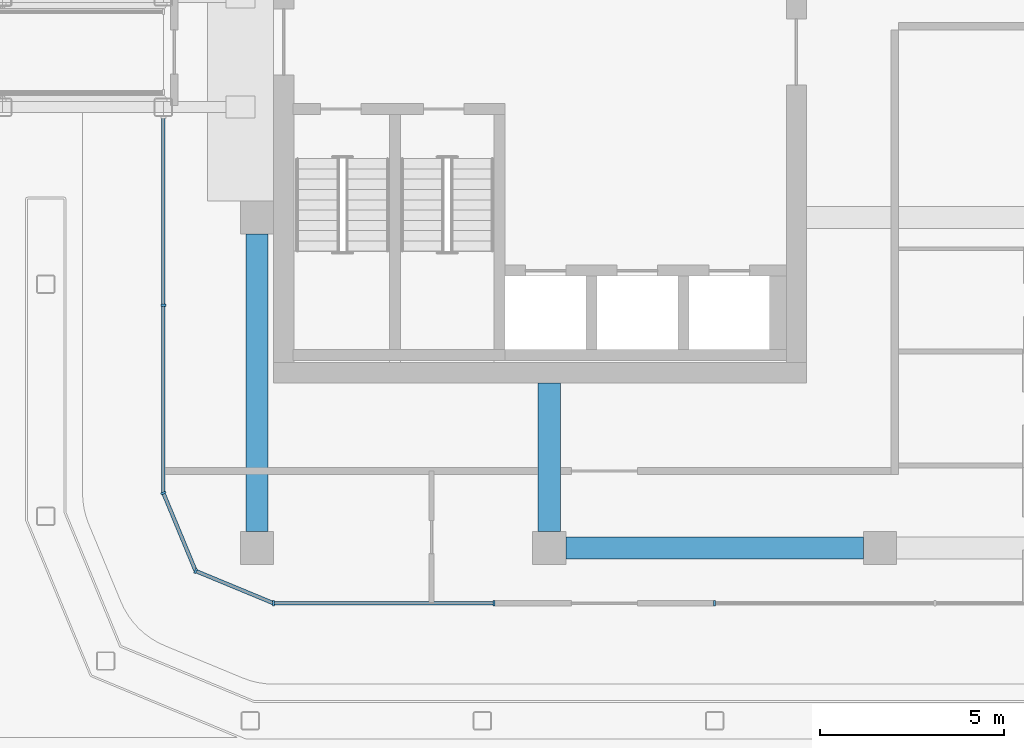
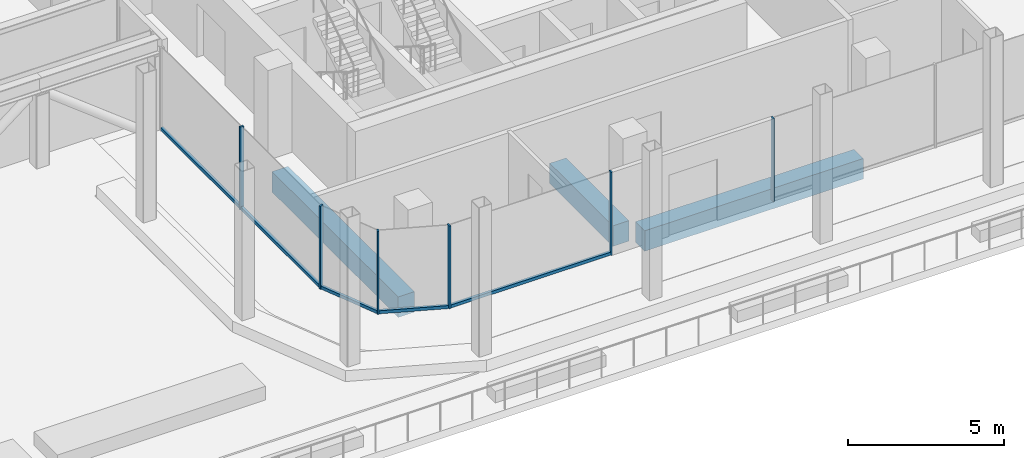
# One storey, part 13 of 33: 10 members, 3 beams, 5 elements without a shape of their own.
"""IFC4 building model written with IfcOpenShell, lengths in metres."""

from ifc_helpers import new_model, si_unit, direction, frame, origin, origin_2d, place, context, subcontext, project, spatial, rectangle, extrude, material, layer, layer_set, material_profile, profile_set, type_object, element, aggregate, save


model = new_model("IFC4")

# Units and contexts
model_context = context("Model", 3, precision=1e-05, world=origin(), true_north=direction((0.0, 1.0)))
body_context = subcontext(model_context, "Body", "Model", "MODEL_VIEW")
ifc_project = project(units=[si_unit("LENGTHUNIT", "METRE"), si_unit("AREAUNIT", "SQUARE_METRE"), si_unit("VOLUMEUNIT", "CUBIC_METRE"), si_unit("PLANEANGLEUNIT", "RADIAN"), si_unit("MASSUNIT", "GRAM", prefix="KILO")], contexts=[model_context])

# Site, building, storey
site_placement = place(None, origin())
site = spatial("IfcSite", under=ifc_project, at=site_placement, CompositionType="ELEMENT")
building_placement = place(site_placement, origin())
building = spatial("IfcBuilding", under=site, at=building_placement, Name="Plateau Cross Towers", CompositionType="ELEMENT")
storey_placement = place(building_placement, frame((0.0, 0.0, 26.800048828125)))
storey = spatial("IfcBuildingStorey", under=building, at=storey_placement, Name="L05", CompositionType="ELEMENT", Elevation=26.800048828125)

# Beam
ifc_material_1 = material(Name="Concrete C60/75", Category="concrete")
ifc_material_profile_1 = material_profile(ifc_material_1, rectangle(XDim=0.60009765625, YDim=0.800048828125, at=origin_2d()), Name="RC 600x800")
ifc_profile_set_1 = profile_set([ifc_material_profile_1], Name="Concrete C60/75")
beam_type_1 = type_object("IfcBeamType", Name="Core beam RC 600x800", PredefinedType="BEAM", material=ifc_profile_set_1)
beam_placement = place(storey_placement, frame((82.5, 0.0, -0.900146484375), z_axis=(0.0, -1.0, 0.0), x_axis=(1.0, 0.0, 0.0)))
element("IfcBeam", 1, at=beam_placement, inside=storey, type_object=beam_type_1, Name="B-CB01@L05", PredefinedType="BEAM", context=body_context, shape_type="SweptSolid", body=[
    extrude(rectangle(XDim=0.60009765625, YDim=0.800048828125, at=origin_2d()), origin(), (0.0, 0.0, 1.0), 4.050048828125),
])

# Curtain wall, members
ifc_material_2 = material(Name="Dark low-iron glass", Category="glass")
ifc_layer = layer(ifc_material_2, 0.239990234375)
ifc_layer_set = layer_set([ifc_layer], Name="Dark low-iron glass")
curtain_wall_type = type_object("IfcCurtainWallType", Name="Curtain wall office unitised CW-F", PredefinedType="NOTDEFINED", material=ifc_layer_set)
curtain_wall_1_placement = place(storey_placement, origin())
curtain_wall_1 = element("IfcCurtainWall", 2, at=curtain_wall_1_placement, inside=storey, type_object=curtain_wall_type, Name="ENV/B/L05/B750_-60", PredefinedType="NOTDEFINED")
ifc_material_3 = material(Name="Black anodised aluminium", Category="aluminium")
ifc_material_profile_2 = material_profile(ifc_material_3, rectangle(XDim=0.06005859375, YDim=0.139892578125, at=origin_2d()), Name="MULLION 60x140")
ifc_profile_set_2 = profile_set([ifc_material_profile_2], Name="Black anodised aluminium")
member_type_1 = type_object("IfcMemberType", Name="Mullion 60x140 office unitised", PredefinedType="MULLION", material=ifc_profile_set_2)
member_1_placement = place(storey_placement, frame((75.0, -6.0, 0.0), z_axis=(0.0, 0.0, 1.0), x_axis=(1.0, 0.0, 0.0)))
member_1 = element("IfcMember", 3, at=member_1_placement, type_object=member_type_1, Name="CW-F mullion 1", PredefinedType="MULLION", context=body_context, shape_type="SweptSolid", body=[
    extrude(rectangle(XDim=0.06005859375, YDim=0.139892578125, at=origin_2d()), origin(), (0.0, 0.0, 1.0), 3.25),
])
member_2_placement = place(storey_placement, frame((81.0, -6.0, 0.0), z_axis=(0.0, 0.0, 1.0), x_axis=(1.0, 0.0, 0.0)))
member_2 = element("IfcMember", 4, at=member_2_placement, type_object=member_type_1, Name="CW-F mullion 2", PredefinedType="MULLION", context=body_context, shape_type="SweptSolid", body=[
    extrude(rectangle(XDim=0.06005859375, YDim=0.139892578125, at=origin_2d()), origin(), (0.0, 0.0, 1.0), 3.25),
])

# Curtain wall, member
curtain_wall_2_placement = place(storey_placement, origin())
curtain_wall_2 = element("IfcCurtainWall", 5, at=curtain_wall_2_placement, inside=storey, type_object=curtain_wall_type, Name="ENV/B/L05/B870_-60", PredefinedType="NOTDEFINED")
member_3_placement = place(storey_placement, frame((87.0, -6.0, 0.0), z_axis=(0.0, 0.0, 1.0), x_axis=(1.0, 0.0, 0.0)))
member_3 = element("IfcMember", 6, at=member_3_placement, type_object=member_type_1, Name="CW-F mullion 1", PredefinedType="MULLION", context=body_context, shape_type="SweptSolid", body=[
    extrude(rectangle(XDim=0.06005859375, YDim=0.139892578125, at=origin_2d()), origin(), (0.0, 0.0, 1.0), 3.25),
])
aggregate(curtain_wall_2, [member_3])

curtain_wall_3_placement = place(storey_placement, origin())
curtain_wall_3 = element("IfcCurtainWall", 7, at=curtain_wall_3_placement, inside=storey, type_object=curtain_wall_type, Name="ENV/B/L05/B720_72", PredefinedType="NOTDEFINED")
member_4_placement = place(storey_placement, frame((72.0, 2.107421875, 0.0), z_axis=(0.0, 0.0, 1.0), x_axis=(0.0, -1.0, 0.0)))
member_4 = element("IfcMember", 8, at=member_4_placement, type_object=member_type_1, Name="CW-F mullion 2", PredefinedType="MULLION", context=body_context, shape_type="SweptSolid", body=[
    extrude(rectangle(XDim=0.06005859375, YDim=0.139892578125, at=origin_2d()), origin(), (0.0, 0.0, 1.0), 3.25),
])

curtain_wall_4_placement = place(storey_placement, origin())
curtain_wall_4 = element("IfcCurtainWall", 9, at=curtain_wall_4_placement, inside=storey, type_object=curtain_wall_type, Name="ENV/B/L05/B720_-30", PredefinedType="NOTDEFINED")
member_5_placement = place(storey_placement, frame((72.0, -3.0, 0.0), z_axis=(0.0, 0.0, 1.0), x_axis=(0.382683612978, -0.923879457699, 0.0)))
member_5 = element("IfcMember", 10, at=member_5_placement, type_object=member_type_1, Name="CW-F mullion 1", PredefinedType="MULLION", context=body_context, shape_type="SweptSolid", body=[
    extrude(rectangle(XDim=0.06005859375, YDim=0.139892578125, at=origin_2d()), origin(), (0.0, 0.0, 1.0), 3.25),
])

curtain_wall_5_placement = place(storey_placement, origin())
curtain_wall_5 = element("IfcCurtainWall", 11, at=curtain_wall_5_placement, inside=storey, type_object=curtain_wall_type, Name="ENV/B/L05/B729_-51", PredefinedType="NOTDEFINED")
member_6_placement = place(storey_placement, frame((72.878662109375, -5.121337890625, 0.0), z_axis=(0.0, 0.0, 1.0), x_axis=(0.923879457699, -0.382683612978, 0.0)))
member_6 = element("IfcMember", 12, at=member_6_placement, type_object=member_type_1, Name="CW-F mullion 1", PredefinedType="MULLION", context=body_context, shape_type="SweptSolid", body=[
    extrude(rectangle(XDim=0.06005859375, YDim=0.139892578125, at=origin_2d()), origin(), (0.0, 0.0, 1.0), 3.25),
])

# Beams
ifc_material_profile_3 = material_profile(ifc_material_1, rectangle(XDim=0.60009765625, YDim=0.800048828125, at=origin_2d()), Name="RC 600x800")
ifc_profile_set_3 = profile_set([ifc_material_profile_3], Name="Concrete C60/75")
beam_type_2 = type_object("IfcBeamType", Name="Ring beam RC 600x800", PredefinedType="BEAM", material=ifc_profile_set_3)
for number, where, z_axis, x_axis, name in (
    (13, (82.949951171875, -4.5, -0.900146484375), (1.0, 0.0, 0.0), (0.0, 1.0, 0.0), "B-RB01@L05"),
    (14, (74.550048828125, 4.050048828125, -0.900146484375), (0.0, -1.0, 0.0), (1.0, 0.0, 0.0), "B-RB09@L05"),
):
    element("IfcBeam", number, at=place(storey_placement, frame(where, z_axis=z_axis, x_axis=x_axis)), inside=storey, type_object=beam_type_2, Name=name, PredefinedType="BEAM", context=body_context, shape_type="SweptSolid", body=[
        extrude(rectangle(XDim=0.60009765625, YDim=0.800048828125, at=origin_2d()), origin(), (0.0, 0.0, 1.0), 8.10009765625),
    ])

# Member
ifc_material_profile_4 = material_profile(ifc_material_3, rectangle(XDim=0.10009765625, YDim=0.1201171875, at=origin_2d()), Name="TRANSOM 100x120")
ifc_profile_set_4 = profile_set([ifc_material_profile_4], Name="Black anodised aluminium")
member_type_2 = type_object("IfcMemberType", Name="Transom 100x120 office unitised", PredefinedType="USERDEFINED", material=ifc_profile_set_4)
member_7_placement = place(storey_placement, frame((75.0, -6.0, 0.06005859375), z_axis=(1.0, 0.0, 0.0), x_axis=(0.0, 1.0, 0.0)))
member_7 = element("IfcMember", 15, at=member_7_placement, type_object=member_type_2, Name="CW-F transom", ObjectType="TRANSOM", PredefinedType="USERDEFINED", context=body_context, shape_type="SweptSolid", body=[
    extrude(rectangle(XDim=0.10009765625, YDim=0.1201171875, at=origin_2d()), origin(), (0.0, 0.0, 1.0), 6.0),
])

aggregate(curtain_wall_1, [member_1, member_2, member_7])

member_8_placement = place(storey_placement, frame((72.0, 7.215087890625, 0.06005859375), z_axis=(0.0, -1.0, 0.0), x_axis=(1.0, 0.0, 0.0)))
member_8 = element("IfcMember", 16, at=member_8_placement, type_object=member_type_2, Name="CW-F transom", ObjectType="TRANSOM", PredefinedType="USERDEFINED", context=body_context, shape_type="SweptSolid", body=[
    extrude(rectangle(XDim=0.10009765625, YDim=0.1201171875, at=origin_2d()), origin(), (0.0, 0.0, 1.0), 10.215087890625),
])

aggregate(curtain_wall_3, [member_4, member_8])

member_9_placement = place(storey_placement, frame((72.0, -3.0, 0.06005859375), z_axis=(0.382674207535, -0.923883353507, 0.0), x_axis=(0.923883353507, 0.382674207535, 0.0)))
member_9 = element("IfcMember", 17, at=member_9_placement, type_object=member_type_2, Name="CW-F transom", ObjectType="TRANSOM", PredefinedType="USERDEFINED", context=body_context, shape_type="SweptSolid", body=[
    extrude(rectangle(XDim=0.10009765625, YDim=0.1201171875, at=origin_2d()), origin(), (0.0, 0.0, 1.0), 2.296142578125),
])

aggregate(curtain_wall_4, [member_5, member_9])

member_10_placement = place(storey_placement, frame((72.878662109375, -5.121337890625, 0.06005859375), z_axis=(0.923883353507, -0.382674207535, 0.0), x_axis=(0.382674207535, 0.923883353507, 0.0)))
member_10 = element("IfcMember", 18, at=member_10_placement, type_object=member_type_2, Name="CW-F transom", ObjectType="TRANSOM", PredefinedType="USERDEFINED", context=body_context, shape_type="SweptSolid", body=[
    extrude(rectangle(XDim=0.10009765625, YDim=0.1201171875, at=origin_2d()), origin(), (0.0, 0.0, 1.0), 2.296142578125),
])

aggregate(curtain_wall_5, [member_6, member_10])

save(model, "model.ifc")
